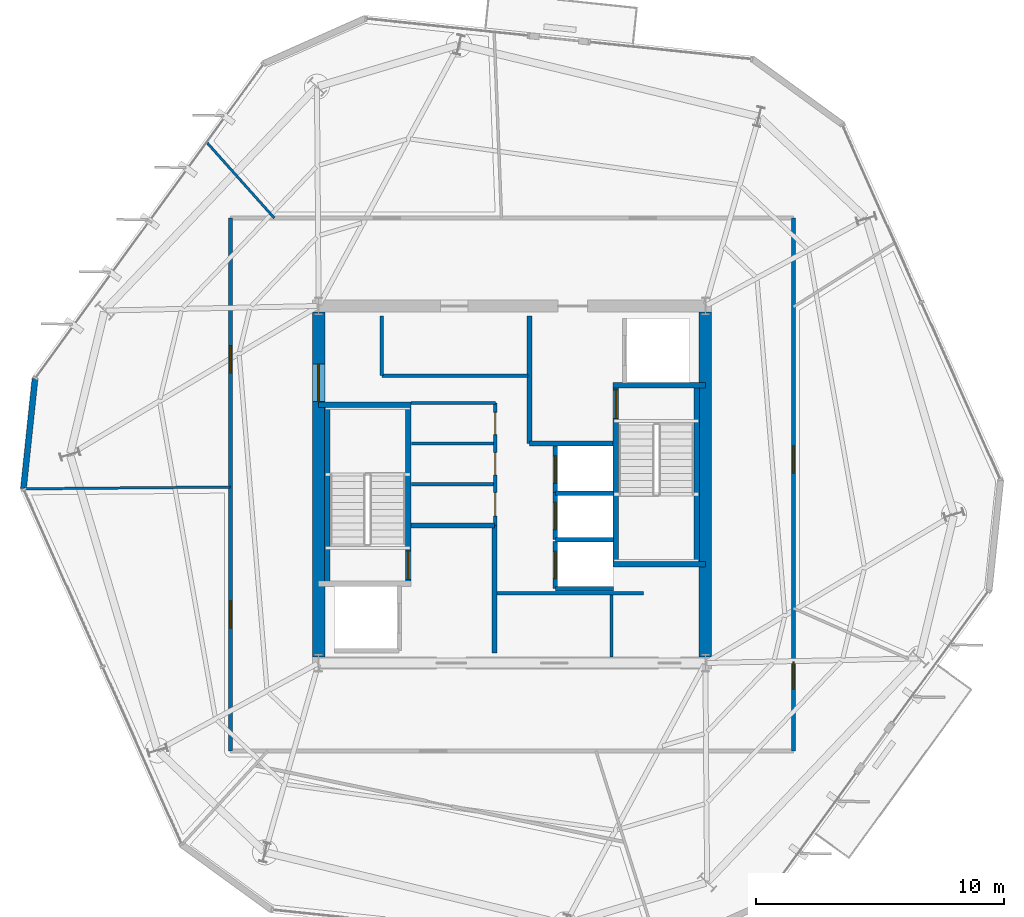
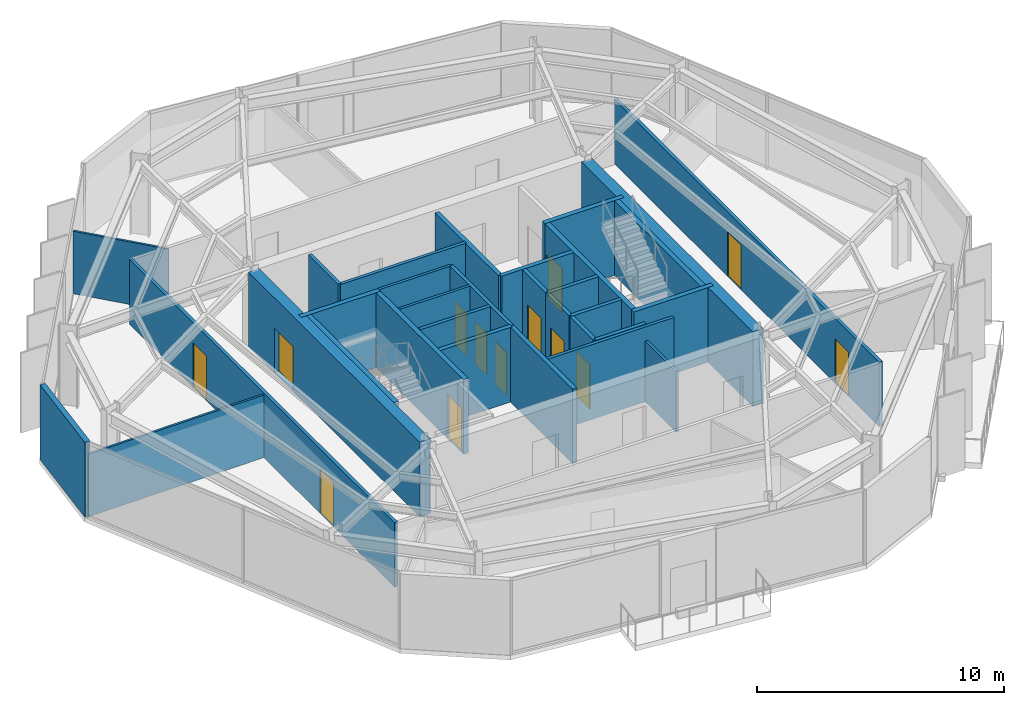
# One storey, part 8 of 12: 32 walls, 13 doors, 13 openings.
"""IFC4 building model written with IfcOpenShell, lengths in metres."""

from ifc_helpers import new_model, si_unit, direction, frame, frame_2d, origin, place, context, subcontext, project, spatial, rectangle, extrude, material, layer, layer_set, type_object, element, fill, save


model = new_model("IFC4")

# Units and contexts
model_context = context("Model", 3, precision=1e-05, world=origin(), true_north=direction((0.0, 1.0)))
body_context = subcontext(model_context, "Body", "Model", "MODEL_VIEW")
ifc_project = project(units=[si_unit("LENGTHUNIT", "METRE"), si_unit("AREAUNIT", "SQUARE_METRE"), si_unit("VOLUMEUNIT", "CUBIC_METRE"), si_unit("PLANEANGLEUNIT", "RADIAN"), si_unit("MASSUNIT", "GRAM", prefix="KILO")], contexts=[model_context])

# Site, building, storey
site_placement = place(None, origin())
site = spatial("IfcSite", under=ifc_project, at=site_placement, CompositionType="ELEMENT")
building_placement = place(site_placement, origin())
building = spatial("IfcBuilding", under=site, at=building_placement, Name="Kranzbogen Civic Tower", CompositionType="ELEMENT")
storey_placement = place(building_placement, frame((0.0, 0.0, 240.800048828125)))
storey = spatial("IfcBuildingStorey", under=building, at=storey_placement, Name="L58", CompositionType="ELEMENT", Elevation=240.800048828125)

# Walls
ifc_material_1 = material(Name="Double-Stud Acoustic Gypsum Partition")
ifc_layer_1 = layer(ifc_material_1, 0.14990234375, Name="Double-Stud Acoustic Gypsum Partition")
ifc_layer_set_1 = layer_set([ifc_layer_1], Name="Double-Stud Acoustic Gypsum Partition")
wall_type_1 = type_object("IfcWallType", Name="Acoustic Corridor and Clinical Partition 150 mm", PredefinedType="PARTITIONING", material=ifc_layer_set_1)
wall_1_placement = place(storey_placement, frame((24.39990234375, 20.610107421875, 0.0), z_axis=(0.0, 0.0, 1.0), x_axis=(1.0, 0.0, 0.0)))
element("IfcWall", 1, at=wall_1_placement, inside=storey, type_object=wall_type_1, Name="L58 records zone North wall", PredefinedType="PARTITIONING", context=body_context, shape_type="SweptSolid", body=[
    extrude(rectangle(XDim=5.900146484375, YDim=0.14990234375, at=frame_2d((2.9501953125, 0.0))), origin(), (0.0, 0.0, 1.0), 3.699951171875),
])
wall_2_placement = place(storey_placement, frame((19.75, 29.389892578125, 0.0), z_axis=(0.0, 0.0, 1.0), x_axis=(1.0, 0.0, 0.0)))
element("IfcWall", 2, at=wall_2_placement, inside=storey, type_object=wall_type_1, Name="L58 digital comms South wall", PredefinedType="PARTITIONING", context=body_context, shape_type="SweptSolid", body=[
    extrude(rectangle(XDim=5.89990234375, YDim=0.14990234375, at=frame_2d((2.949951171875, 0.0))), origin(), (0.0, 0.0, 1.0), 3.699951171875),
])
wall_3_placement = place(storey_placement, frame((19.75, 29.389892578125, 0.0), z_axis=(0.0, 0.0, 1.0), x_axis=(0.0, 1.0, 0.0)))
element("IfcWall", 3, at=wall_3_placement, inside=storey, type_object=wall_type_1, Name="L58 digital comms West wall", PredefinedType="PARTITIONING", context=body_context, shape_type="SweptSolid", body=[
    extrude(rectangle(XDim=2.41015625, YDim=0.14990234375, at=frame_2d((1.205078125, 0.0))), origin(), (0.0, 0.0, 1.0), 3.699951171875),
])

# Wall, openings, doors
wall_4_placement = place(storey_placement, frame((36.35009765625, 35.75, 0.0), z_axis=(0.0, 0.0, 1.0), x_axis=(0.0, -1.0, 0.0)))
wall_4 = element("IfcWall", 4, at=wall_4_placement, inside=storey, type_object=wall_type_1, Name="L58 corridor partition 02", PredefinedType="PARTITIONING", context=body_context, shape_type="SweptSolid", body=[
    extrude(rectangle(XDim=21.5, YDim=0.14990234375, at=frame_2d((10.75, 0.0))), origin(), (0.0, 0.0, 1.0), 3.199951171875),
])
opening_1_placement = place(wall_4_placement, frame((17.905029296875, 0.0, 0.0)))
opening_1 = element("IfcOpeningElement", 5, at=opening_1_placement, cuts=wall_4, Name="Opening D-COR60", PredefinedType="OPENING", context=body_context, shape_type="SweptSolid", body=[
    extrude(rectangle(XDim=1.10009765625, YDim=2.199951171875, at=frame_2d((0.550048828125, 1.10009765625))), frame((0.0, 0.0849609375, 0.0), z_axis=(0.0, -1.0, 0.0), x_axis=(1.0, 0.0, 0.0)), (0.0, 0.0, 1.0), 0.169921875),
])
opening_2_placement = place(wall_4_placement, frame((9.193115234375, 0.0, 0.0)))
opening_2 = element("IfcOpeningElement", 6, at=opening_2_placement, cuts=wall_4, Name="Opening D-COR60", PredefinedType="OPENING", context=body_context, shape_type="SweptSolid", body=[
    extrude(rectangle(XDim=1.10009765625, YDim=2.199951171875, at=frame_2d((0.550048828125, 1.10009765625))), frame((0.0, 0.0849609375, 0.0), z_axis=(0.0, -1.0, 0.0), x_axis=(1.0, 0.0, 0.0)), (0.0, 0.0, 1.0), 0.169921875),
])
ifc_material_2 = material(Name="Oak Timber and Fire Core", Category="wood")
door_type_1 = type_object("IfcDoorType", Name="Corridor Acoustic Fire Door 1100x2200", OperationType="NOTDEFINED", PredefinedType="DOOR", material=ifc_material_2)
door_1_placement = place(opening_1_placement, origin())
door_1 = element("IfcDoor", 7, at=door_1_placement, inside=storey, type_object=door_type_1, Name="L58 Operations Security Control Room door", OperationType="SINGLE_SWING_RIGHT", OverallHeight=2.199951171875, OverallWidth=1.10009765625, PredefinedType="DOOR", context=body_context, shape_type="SweptSolid", body=[
    extrude(rectangle(XDim=1.10009765625, YDim=2.199951171875, at=frame_2d((0.550048828125, 1.10009765625))), frame((0.0, 0.02490234375, 0.0), z_axis=(0.0, -1.0, 0.0), x_axis=(1.0, 0.0, 0.0)), (0.0, 0.0, 1.0), 0.050048828125),
])
fill(opening_1, door_1)
door_2_placement = place(opening_2_placement, origin())
door_2 = element("IfcDoor", 8, at=door_2_placement, inside=storey, type_object=door_type_1, Name="L58 Central Mail Post Room door", OperationType="SINGLE_SWING_LEFT", OverallHeight=2.199951171875, OverallWidth=1.10009765625, PredefinedType="DOOR", context=body_context, shape_type="SweptSolid", body=[
    extrude(rectangle(XDim=1.10009765625, YDim=2.199951171875, at=frame_2d((0.550048828125, 1.10009765625))), frame((0.0, 0.02490234375, 0.0), z_axis=(0.0, -1.0, 0.0), x_axis=(1.0, 0.0, 0.0)), (0.0, 0.0, 1.0), 0.050048828125),
])
fill(opening_2, door_2)

wall_5_placement = place(storey_placement, frame((13.64990234375, 14.25, 0.0), z_axis=(0.0, 0.0, 1.0), x_axis=(0.0, 1.0, 0.0)))
wall_5 = element("IfcWall", 9, at=wall_5_placement, inside=storey, type_object=wall_type_1, Name="L58 corridor partition 04", PredefinedType="PARTITIONING", context=body_context, shape_type="SweptSolid", body=[
    extrude(rectangle(XDim=21.5, YDim=0.14990234375, at=frame_2d((10.75, 0.0))), origin(), (0.0, 0.0, 1.0), 3.199951171875),
])
opening_3_placement = place(wall_5_placement, frame((4.9580078125, 0.0, 0.0)))
opening_3 = element("IfcOpeningElement", 10, at=opening_3_placement, cuts=wall_5, Name="Opening D-COR60", PredefinedType="OPENING", context=body_context, shape_type="SweptSolid", body=[
    extrude(rectangle(XDim=1.10009765625, YDim=2.199951171875, at=frame_2d((0.550048828125, 1.10009765625))), frame((0.0, 0.0849609375, 0.0), z_axis=(0.0, -1.0, 0.0), x_axis=(1.0, 0.0, 0.0)), (0.0, 0.0, 1.0), 0.169921875),
])
opening_4_placement = place(wall_5_placement, frame((15.2509765625, 0.0, 0.0)))
opening_4 = element("IfcOpeningElement", 11, at=opening_4_placement, cuts=wall_5, Name="Opening D-COR60", PredefinedType="OPENING", context=body_context, shape_type="SweptSolid", body=[
    extrude(rectangle(XDim=1.10009765625, YDim=2.199951171875, at=frame_2d((0.550048828125, 1.10009765625))), frame((0.0, 0.0849609375, 0.0), z_axis=(0.0, -1.0, 0.0), x_axis=(1.0, 0.0, 0.0)), (0.0, 0.0, 1.0), 0.169921875),
])
door_3_placement = place(opening_3_placement, origin())
door_3 = element("IfcDoor", 12, at=door_3_placement, inside=storey, type_object=door_type_1, Name="L58 Delegates Sitting Lounge door", OperationType="SINGLE_SWING_LEFT", OverallHeight=2.199951171875, OverallWidth=1.10009765625, PredefinedType="DOOR", context=body_context, shape_type="SweptSolid", body=[
    extrude(rectangle(XDim=1.10009765625, YDim=2.199951171875, at=frame_2d((0.550048828125, 1.10009765625))), frame((0.0, 0.02490234375, 0.0), z_axis=(0.0, -1.0, 0.0), x_axis=(1.0, 0.0, 0.0)), (0.0, 0.0, 1.0), 0.050048828125),
])
fill(opening_3, door_3)
door_4_placement = place(opening_4_placement, origin())
door_4 = element("IfcDoor", 13, at=door_4_placement, inside=storey, type_object=door_type_1, Name="L58 Public Delegation Reception door", OperationType="SINGLE_SWING_RIGHT", OverallHeight=2.199951171875, OverallWidth=1.10009765625, PredefinedType="DOOR", context=body_context, shape_type="SweptSolid", body=[
    extrude(rectangle(XDim=1.10009765625, YDim=2.199951171875, at=frame_2d((0.550048828125, 1.10009765625))), frame((0.0, 0.02490234375, 0.0), z_axis=(0.0, -1.0, 0.0), x_axis=(1.0, 0.0, 0.0)), (0.0, 0.0, 1.0), 0.050048828125),
])
fill(opening_4, door_4)

# Walls
ifc_material_3 = material(Name="Insulated Metal-Stud Gypsum Partition")
ifc_layer_2 = layer(ifc_material_3, 0.125, Name="Insulated Metal-Stud Gypsum Partition")
ifc_layer_set_2 = layer_set([ifc_layer_2], Name="Insulated Metal-Stud Gypsum Partition")
wall_type_2 = type_object("IfcWallType", Name="Acoustic Inter-Room Partition 125 mm", PredefinedType="PARTITIONING", material=ifc_layer_set_2)
wall_6_placement = place(storey_placement, frame((20.919921875, 28.280029296875, 0.0), z_axis=(0.0, 0.0, 1.0), x_axis=(1.0, 0.0, 0.0)))
element("IfcWall", 14, at=wall_6_placement, inside=storey, type_object=wall_type_2, Name="L58 core auxiliary North wall", PredefinedType="PARTITIONING", context=body_context, shape_type="SweptSolid", body=[
    extrude(rectangle(XDim=3.405029296875, YDim=0.125, at=frame_2d((1.70263671875, 0.0))), origin(), (0.0, 0.0, 1.0), 3.699951171875),
])
wall_7_placement = place(storey_placement, frame((29.010009765625, 18.050048828125, 0.0), z_axis=(0.0, 0.0, 1.0), x_axis=(0.0, 1.0, 0.0)))
element("IfcWall", 15, at=wall_7_placement, inside=storey, type_object=wall_type_2, Name="L58 core auxiliary partition 1", PredefinedType="PARTITIONING", context=body_context, shape_type="SweptSolid", body=[
    extrude(rectangle(XDim=2.5, YDim=0.125, at=frame_2d((1.25, 0.0))), origin(), (0.0, 0.0, 1.0), 3.0),
])
wall_8_placement = place(storey_placement, frame((20.949951171875, 26.659912109375, 0.0), z_axis=(0.0, 0.0, 1.0), x_axis=(1.0, 0.0, 0.0)))
element("IfcWall", 16, at=wall_8_placement, inside=storey, type_object=wall_type_2, Name="L58 core auxiliary partition 3", PredefinedType="PARTITIONING", context=body_context, shape_type="SweptSolid", body=[
    extrude(rectangle(XDim=3.300048828125, YDim=0.125, at=frame_2d((1.64990234375, 0.0))), origin(), (0.0, 0.0, 1.0), 3.699951171875),
])

# Wall, opening, door
ifc_material_4 = material(Name="Concrete C45/55", Category="concrete")
ifc_layer_3 = layer(ifc_material_4, 0.5, Name="Concrete C45/55")
ifc_layer_set_3 = layer_set([ifc_layer_3], Name="Concrete C45/55")
wall_type_3 = type_object("IfcWallType", Name="Central Core Shear Wall 500 mm", PredefinedType="SHEAR", material=ifc_layer_set_3)
wall_9_placement = place(storey_placement, frame((17.199951171875, 31.949951171875, 0.0), z_axis=(0.0, 0.0, 1.0), x_axis=(0.0, -1.0, 0.0)))
wall_9 = element("IfcWall", 17, at=wall_9_placement, inside=storey, type_object=wall_type_3, Name="L58 central core West shear wall", PredefinedType="SHEAR", context=body_context, shape_type="SweptSolid", body=[
    extrude(rectangle(XDim=13.89990234375, YDim=0.5, at=frame_2d((6.949951171875, 0.0))), origin(), (0.0, 0.0, 1.0), 3.699951171875),
])
opening_5_placement = place(wall_9_placement, frame((2.10009765625, 0.0, 0.0)))
opening_5 = element("IfcOpeningElement", 18, at=opening_5_placement, cuts=wall_9, Name="Opening D-DBL15", PredefinedType="OPENING", context=body_context, shape_type="SweptSolid", body=[
    extrude(rectangle(XDim=1.5, YDim=2.199951171875, at=frame_2d((0.75, 1.10009765625))), frame((0.0, 0.260009765625, 0.0), z_axis=(0.0, -1.0, 0.0), x_axis=(1.0, 0.0, 0.0)), (0.0, 0.0, 1.0), 0.52001953125),
])
ifc_material_5 = material(Name="Anodised Bronze and Glass", Category="glass")
door_type_2 = type_object("IfcDoorType", Name="Civic Lobby Double Door 1500x2200", OperationType="DOUBLE_DOOR_SINGLE_SWING", PredefinedType="DOOR", material=ifc_material_5)
door_5_placement = place(opening_5_placement, origin())
door_5 = element("IfcDoor", 19, at=door_5_placement, inside=storey, type_object=door_type_2, Name="L58 Central Lift Lobby West concourse door", OperationType="DOUBLE_DOOR_SINGLE_SWING", OverallHeight=2.199951171875, OverallWidth=1.5, PredefinedType="DOOR", context=body_context, shape_type="SweptSolid", body=[
    extrude(rectangle(XDim=1.5, YDim=2.199951171875, at=frame_2d((0.75, 1.10009765625))), frame((0.0, 0.02490234375, 0.0), z_axis=(0.0, -1.0, 0.0), x_axis=(1.0, 0.0, 0.0)), (0.0, 0.0, 1.0), 0.050048828125),
])
fill(opening_5, door_5)

# Wall
wall_10_placement = place(storey_placement, frame((32.800048828125, 18.050048828125, 0.0), z_axis=(0.0, 0.0, 1.0), x_axis=(0.0, 1.0, 0.0)))
element("IfcWall", 20, at=wall_10_placement, inside=storey, type_object=wall_type_3, Name="L58 central core East shear wall", PredefinedType="SHEAR", context=body_context, shape_type="SweptSolid", body=[
    extrude(rectangle(XDim=13.89990234375, YDim=0.5, at=frame_2d((6.949951171875, 0.0))), origin(), (0.0, 0.0, 1.0), 3.699951171875),
])

# Wall, opening, door
ifc_layer_4 = layer(ifc_material_4, 0.219970703125, Name="Concrete C45/55")
ifc_layer_set_4 = layer_set([ifc_layer_4], Name="Concrete C45/55")
wall_type_4 = type_object("IfcWallType", Name="Core Internal Stair Structural Wall 220 mm", PredefinedType="SOLIDWALL", material=ifc_layer_set_4)
wall_11_placement = place(storey_placement, frame((20.81005859375, 20.989990234375, 0.0), z_axis=(0.0, 0.0, 1.0), x_axis=(0.0, 1.0, 0.0)))
wall_11 = element("IfcWall", 21, at=wall_11_placement, inside=storey, type_object=wall_type_4, Name="L58 ST-T1 East structural stair wall", PredefinedType="SOLIDWALL", context=body_context, shape_type="SweptSolid", body=[
    extrude(rectangle(XDim=7.219970703125, YDim=0.219970703125, at=frame_2d((3.60986328125, 0.0))), origin(), (0.0, 0.0, 1.0), 3.699951171875),
])
opening_6_placement = place(wall_11_placement, frame((0.179931640625, 0.0, 0.0)))
opening_6 = element("IfcOpeningElement", 22, at=opening_6_placement, cuts=wall_11, Name="Opening D-ST90", PredefinedType="OPENING", context=body_context, shape_type="SweptSolid", body=[
    extrude(rectangle(XDim=1.14990234375, YDim=2.199951171875, at=frame_2d((0.574951171875, 1.10009765625))), frame((0.0, 0.1201171875, 0.0), z_axis=(0.0, -1.0, 0.0), x_axis=(1.0, 0.0, 0.0)), (0.0, 0.0, 1.0), 0.239990234375),
])
ifc_material_6 = material(Name="Steel S355", Category="steel")
door_type_3 = type_object("IfcDoorType", Name="Pressurized Stair and Lobby Fire Door 1150x2200", OperationType="NOTDEFINED", PredefinedType="DOOR", material=ifc_material_6)
door_6_placement = place(opening_6_placement, origin())
door_6 = element("IfcDoor", 23, at=door_6_placement, inside=storey, type_object=door_type_3, Name="L58 Stair ST-T1 fire door", OperationType="SINGLE_SWING_LEFT", OverallHeight=2.199951171875, OverallWidth=1.14990234375, PredefinedType="DOOR", context=body_context, shape_type="SweptSolid", body=[
    extrude(rectangle(XDim=1.14990234375, YDim=2.199951171875, at=frame_2d((0.574951171875, 1.10009765625))), frame((0.0, 0.02490234375, 0.0), z_axis=(0.0, -1.0, 0.0), x_axis=(1.0, 0.0, 0.0)), (0.0, 0.0, 1.0), 0.050048828125),
])
fill(opening_6, door_6)

# Walls
wall_12_placement = place(storey_placement, frame((17.199951171875, 28.2099609375, 0.0), z_axis=(0.0, 0.0, 1.0), x_axis=(1.0, 0.0, 0.0)))
element("IfcWall", 24, at=wall_12_placement, inside=storey, type_object=wall_type_4, Name="L58 ST-T1 North structural stair wall", PredefinedType="SOLIDWALL", context=body_context, shape_type="SweptSolid", body=[
    extrude(rectangle(XDim=3.719970703125, YDim=0.219970703125, at=frame_2d((1.85986328125, 0.0))), origin(), (0.0, 0.0, 1.0), 3.699951171875),
])
wall_13_placement = place(storey_placement, frame((17.554931640625, 28.2099609375, 0.0), z_axis=(0.0, 0.0, 1.0), x_axis=(0.0, -1.0, 0.0)))
element("IfcWall", 25, at=wall_13_placement, inside=storey, type_object=wall_type_4, Name="L58 ST-T1 West structural stair wall", PredefinedType="SOLIDWALL", context=body_context, shape_type="SweptSolid", body=[
    extrude(rectangle(XDim=7.219970703125, YDim=0.219970703125, at=frame_2d((3.60986328125, 0.0))), origin(), (0.0, 0.0, 1.0), 3.699951171875),
])

# Wall, opening, door
wall_14_placement = place(storey_placement, frame((29.18994140625, 21.7900390625, 0.0), z_axis=(0.0, 0.0, 1.0), x_axis=(0.0, 1.0, 0.0)))
wall_14 = element("IfcWall", 26, at=wall_14_placement, inside=storey, type_object=wall_type_4, Name="L58 ST-T2 West structural stair wall", PredefinedType="SOLIDWALL", context=body_context, shape_type="SweptSolid", body=[
    extrude(rectangle(XDim=7.219970703125, YDim=0.219970703125, at=frame_2d((3.60986328125, 0.0))), origin(), (0.0, 0.0, 1.0), 3.699951171875),
])
opening_7_placement = place(wall_14_placement, frame((5.8798828125, 0.0, 0.0)))
opening_7 = element("IfcOpeningElement", 27, at=opening_7_placement, cuts=wall_14, Name="Opening D-ST90", PredefinedType="OPENING", context=body_context, shape_type="SweptSolid", body=[
    extrude(rectangle(XDim=1.14990234375, YDim=2.199951171875, at=frame_2d((0.574951171875, 1.10009765625))), frame((0.0, 0.1201171875, 0.0), z_axis=(0.0, -1.0, 0.0), x_axis=(1.0, 0.0, 0.0)), (0.0, 0.0, 1.0), 0.239990234375),
])
door_7_placement = place(opening_7_placement, origin())
door_7 = element("IfcDoor", 28, at=door_7_placement, inside=storey, type_object=door_type_3, Name="L58 Stair ST-T2 fire door", OperationType="SINGLE_SWING_RIGHT", OverallHeight=2.199951171875, OverallWidth=1.14990234375, PredefinedType="DOOR", context=body_context, shape_type="SweptSolid", body=[
    extrude(rectangle(XDim=1.14990234375, YDim=2.199951171875, at=frame_2d((0.574951171875, 1.10009765625))), frame((0.0, 0.02490234375, 0.0), z_axis=(0.0, -1.0, 0.0), x_axis=(1.0, 0.0, 0.0)), (0.0, 0.0, 1.0), 0.050048828125),
])
fill(opening_7, door_7)

# Walls
for number, where, z_axis, x_axis, name in (
    (29, (29.080078125, 21.7900390625, 0.0), (0.0, 0.0, 1.0), (1.0, 0.0, 0.0), "L58 ST-T2 South structural stair wall"),
    (30, (29.080078125, 29.010009765625, 0.0), (0.0, 0.0, 1.0), (1.0, 0.0, 0.0), "L58 ST-T2 North structural stair wall"),
):
    element("IfcWall", number, at=place(storey_placement, frame(where, z_axis=z_axis, x_axis=x_axis)), inside=storey, type_object=wall_type_4, Name=name, PredefinedType="SOLIDWALL", context=body_context, shape_type="SweptSolid", body=[
        extrude(rectangle(XDim=3.719970703125, YDim=0.219970703125, at=frame_2d((1.85986328125, 0.0))), origin(), (0.0, 0.0, 1.0), 3.699951171875),
    ])
wall_15_placement = place(storey_placement, frame((32.445068359375, 29.010009765625, 0.0), z_axis=(0.0, 0.0, 1.0), x_axis=(0.0, -1.0, 0.0)))
element("IfcWall", 31, at=wall_15_placement, inside=storey, type_object=wall_type_4, Name="L58 ST-T2 East structural stair wall", PredefinedType="SOLIDWALL", context=body_context, shape_type="SweptSolid", body=[
    extrude(rectangle(XDim=7.219970703125, YDim=0.219970703125, at=frame_2d((3.60986328125, 0.0))), origin(), (0.0, 0.0, 1.0), 3.699951171875),
])
ifc_material_7 = material(Name="Demountable Aluminium and Gypsum Partition", Category="aluminium")
ifc_layer_5 = layer(ifc_material_7, 0.10009765625, Name="Demountable Aluminium and Gypsum Partition")
ifc_layer_set_5 = layer_set([ifc_layer_5], Name="Demountable Aluminium and Gypsum Partition")
wall_type_5 = type_object("IfcWallType", Name="Demountable Office Partition 100 mm", PredefinedType="MOVABLE", material=ifc_layer_set_5)
wall_16_placement = place(storey_placement, frame((15.408935546875, 35.75, 0.0), z_axis=(0.0, 0.0, 1.0), x_axis=(-0.665777348023, 0.746150469316, 0.0)))
element("IfcWall", 32, at=wall_16_placement, inside=storey, type_object=wall_type_5, Name="L58 radial room partition 02", PredefinedType="MOVABLE", context=body_context, shape_type="SweptSolid", body=[
    extrude(rectangle(XDim=4.0703125, YDim=0.10009765625, at=frame_2d((2.03515625, 0.0))), origin(), (0.0, 0.0, 1.0), 3.099853515625),
])
wall_17_placement = place(storey_placement, frame((13.64990234375, 24.89892578125, 0.0), z_axis=(0.0, 0.0, 1.0), x_axis=(-0.999959580436, -0.008990967408, 0.0)))
element("IfcWall", 33, at=wall_17_placement, inside=storey, type_object=wall_type_5, Name="L58 radial room partition 03", PredefinedType="MOVABLE", context=body_context, shape_type="SweptSolid", body=[
    extrude(rectangle(XDim=8.336181640625, YDim=0.10009765625, at=frame_2d((4.16796875, 0.0))), origin(), (0.0, 0.0, 1.0), 3.099853515625),
])
ifc_material_8 = material(Name="Gypsum Fireboard and Concrete Block", Category="concrete")
ifc_layer_6 = layer(ifc_material_8, 0.199951171875, Name="Gypsum Fireboard and Concrete Block")
ifc_layer_set_6 = layer_set([ifc_layer_6], Name="Gypsum Fireboard and Concrete Block")
wall_type_6 = type_object("IfcWallType", Name="Fire-Rated Exit Passageway and Stair Wall 200 mm", PredefinedType="PARTITIONING", material=ifc_layer_set_6)
wall_18_placement = place(storey_placement, frame((24.300048828125, 18.199951171875, 0.0), z_axis=(0.0, 0.0, 1.0), x_axis=(0.0, 1.0, 0.0)))
element("IfcWall", 34, at=wall_18_placement, inside=storey, type_object=wall_type_6, Name="L58 West firefighting lobby East wall", PredefinedType="PARTITIONING", context=body_context, shape_type="SweptSolid", body=[
    extrude(rectangle(XDim=5.150146484375, YDim=0.199951171875, at=frame_2d((2.5751953125, 0.0))), origin(), (0.0, 0.0, 1.0), 3.699951171875),
])
wall_19_placement = place(storey_placement, frame((20.919921875, 23.35009765625, 0.0), z_axis=(0.0, 0.0, 1.0), x_axis=(1.0, 0.0, 0.0)))
element("IfcWall", 35, at=wall_19_placement, inside=storey, type_object=wall_type_6, Name="L58 West firefighting lobby North wall", PredefinedType="PARTITIONING", context=body_context, shape_type="SweptSolid", body=[
    extrude(rectangle(XDim=3.380126953125, YDim=0.199951171875, at=frame_2d((1.68994140625, 0.0))), origin(), (0.0, 0.0, 1.0), 3.699951171875),
])
wall_20_placement = place(storey_placement, frame((25.699951171875, 26.64990234375, 0.0), z_axis=(0.0, 0.0, 1.0), x_axis=(0.0, 1.0, 0.0)))
element("IfcWall", 36, at=wall_20_placement, inside=storey, type_object=wall_type_6, Name="L58 East firefighting lobby West wall", PredefinedType="PARTITIONING", context=body_context, shape_type="SweptSolid", body=[
    extrude(rectangle(XDim=5.150146484375, YDim=0.199951171875, at=frame_2d((2.5751953125, 0.0))), origin(), (0.0, 0.0, 1.0), 3.699951171875),
])
wall_21_placement = place(storey_placement, frame((25.699951171875, 26.64990234375, 0.0), z_axis=(0.0, 0.0, 1.0), x_axis=(1.0, 0.0, 0.0)))
element("IfcWall", 37, at=wall_21_placement, inside=storey, type_object=wall_type_6, Name="L58 East firefighting lobby South wall", PredefinedType="PARTITIONING", context=body_context, shape_type="SweptSolid", body=[
    extrude(rectangle(XDim=3.380126953125, YDim=0.199951171875, at=frame_2d((1.68994140625, 0.0))), origin(), (0.0, 0.0, 1.0), 3.699951171875),
])

# Wall, opening, door
ifc_material_9 = material(Name="Gypsum Fireboard Shaftliner")
ifc_layer_7 = layer(ifc_material_9, 0.175048828125, Name="Gypsum Fireboard Shaftliner")
ifc_layer_set_7 = layer_set([ifc_layer_7], Name="Gypsum Fireboard Shaftliner")
wall_type_7 = type_object("IfcWallType", Name="Fire-Rated Lift and Service Shaft Wall 175 mm", PredefinedType="PARTITIONING", material=ifc_layer_set_7)
wall_22_placement = place(storey_placement, frame((26.75, 20.800048828125, 0.0), z_axis=(0.0, 0.0, 1.0), x_axis=(0.0, 1.0, 0.0)))
wall_22 = element("IfcWall", 38, at=wall_22_placement, inside=storey, type_object=wall_type_7, Name="L58 lift HP-01 landing wall", PredefinedType="PARTITIONING", context=body_context, shape_type="SweptSolid", body=[
    extrude(rectangle(XDim=1.89990234375, YDim=0.175048828125, at=frame_2d((0.949951171875, 0.0))), origin(), (0.0, 0.0, 1.0), 3.699951171875),
])
opening_8_placement = place(wall_22_placement, frame((0.39990234375, 0.0, 0.0)))
opening_8 = element("IfcOpeningElement", 39, at=opening_8_placement, cuts=wall_22, Name="Opening LD-HP-01", PredefinedType="OPENING", context=body_context, shape_type="SweptSolid", body=[
    extrude(rectangle(XDim=1.10009765625, YDim=2.199951171875, at=frame_2d((0.550048828125, 1.10009765625))), frame((0.0, 0.09765625, 0.0), z_axis=(0.0, -1.0, 0.0), x_axis=(1.0, 0.0, 0.0)), (0.0, 0.0, 1.0), 0.195068359375),
])
ifc_material_10 = material(Name="Pale Anodised Aluminium", Category="aluminium")
door_type_4 = type_object("IfcDoorType", Name="Passenger Lift Sliding Landing Door 1100x2200", OperationType="DOUBLE_DOOR_SLIDING", PredefinedType="DOOR", material=ifc_material_10)
door_8_placement = place(opening_8_placement, origin())
door_8 = element("IfcDoor", 40, at=door_8_placement, inside=storey, type_object=door_type_4, Name="L58 lift HP-01 sliding landing door", OperationType="DOUBLE_DOOR_SLIDING", OverallHeight=2.199951171875, OverallWidth=1.10009765625, PredefinedType="DOOR", context=body_context, shape_type="SweptSolid", body=[
    extrude(rectangle(XDim=1.10009765625, YDim=2.199951171875, at=frame_2d((0.550048828125, 1.10009765625))), frame((0.0, 0.02490234375, 0.0), z_axis=(0.0, -1.0, 0.0), x_axis=(1.0, 0.0, 0.0)), (0.0, 0.0, 1.0), 0.050048828125),
])
fill(opening_8, door_8)

# Wall
wall_23_placement = place(storey_placement, frame((26.75, 20.800048828125, 0.0), z_axis=(0.0, 0.0, 1.0), x_axis=(1.0, 0.0, 0.0)))
element("IfcWall", 41, at=wall_23_placement, inside=storey, type_object=wall_type_7, Name="L58 lift HP-01 side wall", PredefinedType="PARTITIONING", context=body_context, shape_type="SweptSolid", body=[
    extrude(rectangle(XDim=2.35009765625, YDim=0.175048828125, at=frame_2d((1.175048828125, 0.0))), origin(), (0.0, 0.0, 1.0), 3.699951171875),
])

# Wall, opening, door
wall_24_placement = place(storey_placement, frame((26.75, 22.77490234375, 0.0), z_axis=(0.0, 0.0, 1.0), x_axis=(0.0, 1.0, 0.0)))
wall_24 = element("IfcWall", 42, at=wall_24_placement, inside=storey, type_object=wall_type_7, Name="L58 lift HP-02 landing wall", PredefinedType="PARTITIONING", context=body_context, shape_type="SweptSolid", body=[
    extrude(rectangle(XDim=1.900146484375, YDim=0.175048828125, at=frame_2d((0.9501953125, 0.0))), origin(), (0.0, 0.0, 1.0), 3.699951171875),
])
opening_9_placement = place(wall_24_placement, frame((0.39990234375, 0.0, 0.0)))
opening_9 = element("IfcOpeningElement", 43, at=opening_9_placement, cuts=wall_24, Name="Opening LD-HP-02", PredefinedType="OPENING", context=body_context, shape_type="SweptSolid", body=[
    extrude(rectangle(XDim=1.10009765625, YDim=2.199951171875, at=frame_2d((0.550048828125, 1.10009765625))), frame((0.0, 0.09765625, 0.0), z_axis=(0.0, -1.0, 0.0), x_axis=(1.0, 0.0, 0.0)), (0.0, 0.0, 1.0), 0.195068359375),
])
door_9_placement = place(opening_9_placement, origin())
door_9 = element("IfcDoor", 44, at=door_9_placement, inside=storey, type_object=door_type_4, Name="L58 lift HP-02 sliding landing door", OperationType="DOUBLE_DOOR_SLIDING", OverallHeight=2.199951171875, OverallWidth=1.10009765625, PredefinedType="DOOR", context=body_context, shape_type="SweptSolid", body=[
    extrude(rectangle(XDim=1.10009765625, YDim=2.199951171875, at=frame_2d((0.550048828125, 1.10009765625))), frame((0.0, 0.02490234375, 0.0), z_axis=(0.0, -1.0, 0.0), x_axis=(1.0, 0.0, 0.0)), (0.0, 0.0, 1.0), 0.050048828125),
])
fill(opening_9, door_9)

# Wall
wall_25_placement = place(storey_placement, frame((26.75, 22.77490234375, 0.0), z_axis=(0.0, 0.0, 1.0), x_axis=(1.0, 0.0, 0.0)))
element("IfcWall", 45, at=wall_25_placement, inside=storey, type_object=wall_type_7, Name="L58 lift HP-02 side wall", PredefinedType="PARTITIONING", context=body_context, shape_type="SweptSolid", body=[
    extrude(rectangle(XDim=2.35009765625, YDim=0.175048828125, at=frame_2d((1.175048828125, 0.0))), origin(), (0.0, 0.0, 1.0), 3.699951171875),
])

# Wall, opening, door
wall_26_placement = place(storey_placement, frame((26.75, 24.64990234375, 0.0), z_axis=(0.0, 0.0, 1.0), x_axis=(0.0, 1.0, 0.0)))
wall_26 = element("IfcWall", 46, at=wall_26_placement, inside=storey, type_object=wall_type_7, Name="L58 lift HP-03 landing wall", PredefinedType="PARTITIONING", context=body_context, shape_type="SweptSolid", body=[
    extrude(rectangle(XDim=1.900146484375, YDim=0.175048828125, at=frame_2d((0.9501953125, 0.0))), origin(), (0.0, 0.0, 1.0), 3.699951171875),
])
opening_10_placement = place(wall_26_placement, frame((0.39990234375, 0.0, 0.0)))
opening_10 = element("IfcOpeningElement", 47, at=opening_10_placement, cuts=wall_26, Name="Opening LD-HP-03", PredefinedType="OPENING", context=body_context, shape_type="SweptSolid", body=[
    extrude(rectangle(XDim=1.10009765625, YDim=2.199951171875, at=frame_2d((0.550048828125, 1.10009765625))), frame((0.0, 0.09765625, 0.0), z_axis=(0.0, -1.0, 0.0), x_axis=(1.0, 0.0, 0.0)), (0.0, 0.0, 1.0), 0.195068359375),
])
door_10_placement = place(opening_10_placement, origin())
door_10 = element("IfcDoor", 48, at=door_10_placement, inside=storey, type_object=door_type_4, Name="L58 lift HP-03 sliding landing door", OperationType="DOUBLE_DOOR_SLIDING", OverallHeight=2.199951171875, OverallWidth=1.10009765625, PredefinedType="DOOR", context=body_context, shape_type="SweptSolid", body=[
    extrude(rectangle(XDim=1.10009765625, YDim=2.199951171875, at=frame_2d((0.550048828125, 1.10009765625))), frame((0.0, 0.02490234375, 0.0), z_axis=(0.0, -1.0, 0.0), x_axis=(1.0, 0.0, 0.0)), (0.0, 0.0, 1.0), 0.050048828125),
])
fill(opening_10, door_10)

# Walls
wall_27_placement = place(storey_placement, frame((26.75, 24.64990234375, 0.0), z_axis=(0.0, 0.0, 1.0), x_axis=(1.0, 0.0, 0.0)))
element("IfcWall", 49, at=wall_27_placement, inside=storey, type_object=wall_type_7, Name="L58 lift HP-03 side wall", PredefinedType="PARTITIONING", context=body_context, shape_type="SweptSolid", body=[
    extrude(rectangle(XDim=2.35009765625, YDim=0.175048828125, at=frame_2d((1.175048828125, 0.0))), origin(), (0.0, 0.0, 1.0), 3.699951171875),
])
ifc_layer_8 = layer(ifc_material_10, 0.239990234375, Name="Pale Anodised Aluminium")
ifc_layer_set_8 = layer_set([ifc_layer_8], Name="Pale Anodised Aluminium")
wall_type_8 = type_object("IfcWallType", Name="Insulated Aluminium Facade Portal Wall 240 mm", PredefinedType="STANDARD", material=ifc_layer_set_8)
wall_28_placement = place(storey_placement, frame((5.763916015625, 29.26904296875, 0.0), z_axis=(0.0, 0.0, 1.0), x_axis=(-0.104710374516, -0.994502758904, 0.0)))
element("IfcWall", 50, at=wall_28_placement, inside=storey, type_object=wall_type_8, Name="L58 chamfered corner facade spandrel 2", PredefinedType="STANDARD", context=body_context, shape_type="SweptSolid", body=[
    extrude(rectangle(XDim=4.4697265625, YDim=0.239990234375, at=frame_2d((2.23486328125, 0.0))), origin(), (0.0, 0.0, 1.0), 3.699951171875),
])

# Wall, openings, doors
ifc_material_11 = material(Name="Moisture-Resistant Gypsum Assembly")
ifc_layer_9 = layer(ifc_material_11, 0.159912109375, Name="Moisture-Resistant Gypsum Assembly")
ifc_layer_set_9 = layer_set([ifc_layer_9], Name="Moisture-Resistant Gypsum Assembly")
wall_type_9 = type_object("IfcWallType", Name="Sanitary and Plumbing Wet Wall 160 mm", PredefinedType="PLUMBINGWALL", material=ifc_layer_set_9)
wall_29_placement = place(storey_placement, frame((24.324951171875, 23.35009765625, 0.0), z_axis=(0.0, 0.0, 1.0), x_axis=(0.0, 1.0, 0.0)))
wall_29 = element("IfcWall", 51, at=wall_29_placement, inside=storey, type_object=wall_type_9, Name="L58 core auxiliary East wall", PredefinedType="PLUMBINGWALL", context=body_context, shape_type="SweptSolid", body=[
    extrude(rectangle(XDim=4.929931640625, YDim=0.159912109375, at=frame_2d((2.46484375, 0.0))), origin(), (0.0, 0.0, 1.0), 3.699951171875),
])
opening_11_placement = place(wall_29_placement, frame((0.375, 0.0, 0.0)))
opening_11 = element("IfcOpeningElement", 52, at=opening_11_placement, cuts=wall_29, Name="Opening D-AWC95", PredefinedType="OPENING", context=body_context, shape_type="SweptSolid", body=[
    extrude(rectangle(XDim=0.949951171875, YDim=2.10009765625, at=frame_2d((0.47509765625, 1.050048828125))), frame((0.0, 0.08984375, 0.0), z_axis=(0.0, -1.0, 0.0), x_axis=(1.0, 0.0, 0.0)), (0.0, 0.0, 1.0), 0.179931640625),
])
opening_12_placement = place(wall_29_placement, frame((2.034912109375, 0.0, 0.0)))
opening_12 = element("IfcOpeningElement", 53, at=opening_12_placement, cuts=wall_29, Name="Opening D-WC90", PredefinedType="OPENING", context=body_context, shape_type="SweptSolid", body=[
    extrude(rectangle(XDim=0.89990234375, YDim=2.10009765625, at=frame_2d((0.449951171875, 1.050048828125))), frame((0.0, 0.08984375, 0.0), z_axis=(0.0, -1.0, 0.0), x_axis=(1.0, 0.0, 0.0)), (0.0, 0.0, 1.0), 0.179931640625),
])
opening_13_placement = place(wall_29_placement, frame((3.659912109375, 0.0, 0.0)))
opening_13 = element("IfcOpeningElement", 54, at=opening_13_placement, cuts=wall_29, Name="Opening D-WC90", PredefinedType="OPENING", context=body_context, shape_type="SweptSolid", body=[
    extrude(rectangle(XDim=0.89990234375, YDim=2.10009765625, at=frame_2d((0.449951171875, 1.050048828125))), frame((0.0, 0.08984375, 0.0), z_axis=(0.0, -1.0, 0.0), x_axis=(1.0, 0.0, 0.0)), (0.0, 0.0, 1.0), 0.179931640625),
])
ifc_material_12 = material(Name="Moisture-Resistant Laminate")
door_type_5 = type_object("IfcDoorType", Name="Accessible Restroom Door 950x2100", OperationType="NOTDEFINED", PredefinedType="DOOR", material=ifc_material_12)
door_11_placement = place(opening_11_placement, origin())
door_11 = element("IfcDoor", 55, at=door_11_placement, inside=storey, type_object=door_type_5, Name="L58 Accessible Restroom door", OperationType="SINGLE_SWING_LEFT", OverallHeight=2.10009765625, OverallWidth=0.949951171875, PredefinedType="DOOR", context=body_context, shape_type="SweptSolid", body=[
    extrude(rectangle(XDim=0.949951171875, YDim=2.10009765625, at=frame_2d((0.47509765625, 1.050048828125))), frame((0.0, 0.02490234375, 0.0), z_axis=(0.0, -1.0, 0.0), x_axis=(1.0, 0.0, 0.0)), (0.0, 0.0, 1.0), 0.050048828125),
])
fill(opening_11, door_11)
door_type_6 = type_object("IfcDoorType", Name="Standard Restroom and Store Door 900x2100", OperationType="NOTDEFINED", PredefinedType="DOOR", material=ifc_material_12)
door_12_placement = place(opening_12_placement, origin())
door_12 = element("IfcDoor", 56, at=door_12_placement, inside=storey, type_object=door_type_6, Name="L58 Staff Restroom door", OperationType="SINGLE_SWING_RIGHT", OverallHeight=2.10009765625, OverallWidth=0.89990234375, PredefinedType="DOOR", context=body_context, shape_type="SweptSolid", body=[
    extrude(rectangle(XDim=0.89990234375, YDim=2.10009765625, at=frame_2d((0.449951171875, 1.050048828125))), frame((0.0, 0.02490234375, 0.0), z_axis=(0.0, -1.0, 0.0), x_axis=(1.0, 0.0, 0.0)), (0.0, 0.0, 1.0), 0.050048828125),
])
fill(opening_12, door_12)
door_13_placement = place(opening_13_placement, origin())
door_13 = element("IfcDoor", 57, at=door_13_placement, inside=storey, type_object=door_type_6, Name="L58 Cleaner and Janitor Store door", OperationType="SINGLE_SWING_LEFT", OverallHeight=2.10009765625, OverallWidth=0.89990234375, PredefinedType="DOOR", context=body_context, shape_type="SweptSolid", body=[
    extrude(rectangle(XDim=0.89990234375, YDim=2.10009765625, at=frame_2d((0.449951171875, 1.050048828125))), frame((0.0, 0.02490234375, 0.0), z_axis=(0.0, -1.0, 0.0), x_axis=(1.0, 0.0, 0.0)), (0.0, 0.0, 1.0), 0.050048828125),
])
fill(opening_13, door_13)

# Wall
wall_30_placement = place(storey_placement, frame((20.949951171875, 25.010009765625, 0.0), z_axis=(0.0, 0.0, 1.0), x_axis=(1.0, 0.0, 0.0)))
element("IfcWall", 58, at=wall_30_placement, inside=storey, type_object=wall_type_9, Name="L58 core auxiliary partition 2", PredefinedType="PLUMBINGWALL", context=body_context, shape_type="SweptSolid", body=[
    extrude(rectangle(XDim=3.300048828125, YDim=0.159912109375, at=frame_2d((1.64990234375, 0.0))), origin(), (0.0, 0.0, 1.0), 3.699951171875),
])

save(model, "model.ifc")
